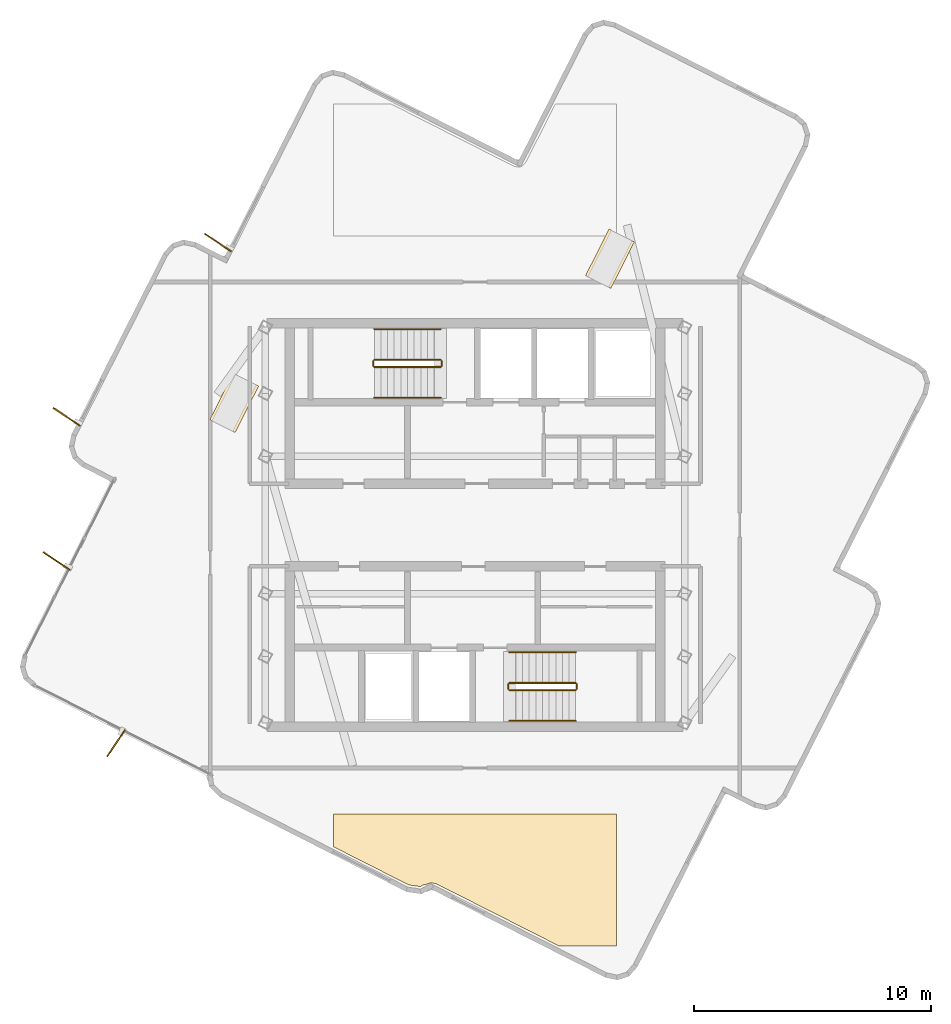
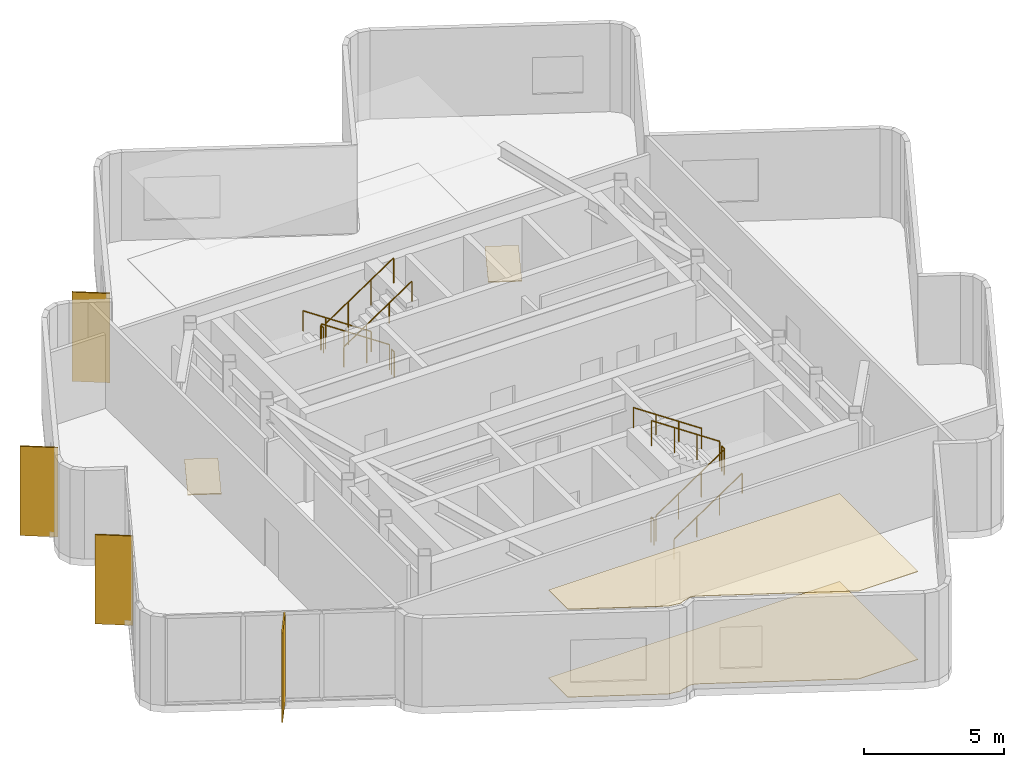
# One storey, part 6 of 8: 12 railings, 4 coverings, 4 shading devices.
"""IFC4 building model written with IfcOpenShell, lengths in metres."""

from ifc_helpers import new_model, si_unit, direction, frame, origin, origin_2d, place, context, subcontext, project, spatial, polyline, rectangle, circle, outline, extrude, material, layer, layer_set, type_object, element, save


model = new_model("IFC4")

# Units and contexts
model_context = context("Model", 3, precision=1e-05, world=origin(), true_north=direction((0.0, 1.0)))
body_context = subcontext(model_context, "Body", "Model", "MODEL_VIEW")
ifc_project = project(units=[si_unit("LENGTHUNIT", "METRE"), si_unit("AREAUNIT", "SQUARE_METRE"), si_unit("VOLUMEUNIT", "CUBIC_METRE"), si_unit("PLANEANGLEUNIT", "RADIAN"), si_unit("MASSUNIT", "GRAM", prefix="KILO")], contexts=[model_context])

# Site, building, storey
site_placement = place(None, origin())
site = spatial("IfcSite", under=ifc_project, at=site_placement, CompositionType="ELEMENT")
building_placement = place(site_placement, origin())
building = spatial("IfcBuilding", under=site, at=building_placement, Name="Solmarez Civic Tower", CompositionType="ELEMENT")
storey_placement = place(building_placement, frame((0.0, 0.0, 289.260009765625)))
storey = spatial("IfcBuildingStorey", under=building, at=storey_placement, Name="L78 Crown", CompositionType="ELEMENT", Elevation=289.260009765625)

# Coverings
ifc_material_1 = material(Name="Perforated Mineral-Fibre Acoustic Ceiling")
ifc_layer_1 = layer(ifc_material_1, 0.02490234375)
ifc_layer_set_1 = layer_set([ifc_layer_1], Name="Perforated Mineral-Fibre Acoustic Ceiling")
covering_type_1 = type_object("IfcCoveringType", Name="COV-CEIL-ACOUSTIC", PredefinedType="CEILING", material=ifc_layer_set_1)
covering_1_placement = place(storey_placement, frame((0.0, 0.0, 3.81494140625)))
element("IfcCovering", 1, at=covering_1_placement, inside=storey, type_object=covering_type_1, Name="L78 Crown Suspended Acoustic Ceiling 2", PredefinedType="CEILING", context=body_context, shape_type="SweptSolid", body=[
    extrude(outline(polyline([(5.97998046875, -12.199951171875), (-5.97998046875, -12.199951171875), (-5.97998046875, -13.583984375), (-2.798095703125, -15.197021484375), (-2.31103515625, -15.26708984375), (-2.22802734375, -15.220947265625), (-2.221923828125, -15.217041015625), (-2.199951171875, -15.2060546875), (-2.193115234375, -15.202880859375), (-2.176025390625, -15.197021484375), (-2.158935546875, -15.19189453125), (-2.15087890625, -15.18994140625), (-2.125, -15.18505859375), (-2.118896484375, -15.18408203125), (-2.114013671875, -15.18310546875), (-2.093994140625, -15.180908203125), (-1.93310546875, -15.12890625), (-1.91796875, -15.125), (-1.909912109375, -15.123046875), (-1.902099609375, -15.12109375), (-1.8759765625, -15.115966796875), (-1.84912109375, -15.114013671875), (-1.83203125, -15.114013671875), (-1.804931640625, -15.115966796875), (-1.77490234375, -15.12109375), (-1.6630859375, -15.14501953125), (-1.64794921875, -15.14794921875), (-1.64111328125, -15.14990234375), (-1.631103515625, -15.153076171875), (-1.625, -15.155029296875), (-1.596923828125, -15.1669921875), (-1.590087890625, -15.1708984375), (3.55908203125, -17.780029296875), (5.97998046875, -17.780029296875), (5.97998046875, -12.199951171875)])), origin(), (0.0, 0.0, 1.0), 0.025146484375),
])
ifc_material_2 = material(Name="Polished Tropical Stone Terrazzo Flooring", Category="masonry")
ifc_layer_2 = layer(ifc_material_2, 0.02001953125)
ifc_layer_set_2 = layer_set([ifc_layer_2], Name="Polished Tropical Stone Terrazzo Flooring")
covering_type_2 = type_object("IfcCoveringType", Name="COV-FLOOR-TERRAZZO", PredefinedType="FLOORING", material=ifc_layer_set_2)
covering_2_placement = place(storey_placement, origin())
element("IfcCovering", 2, at=covering_2_placement, inside=storey, type_object=covering_type_2, Name="L78 Crown Terrazzo Floor Finish 2", PredefinedType="FLOORING", context=body_context, shape_type="SweptSolid", body=[
    extrude(outline(polyline([(5.97998046875, -12.199951171875), (-5.97998046875, -12.199951171875), (-5.97998046875, -13.583984375), (-2.798095703125, -15.197021484375), (-2.31103515625, -15.26708984375), (-2.22802734375, -15.220947265625), (-2.221923828125, -15.217041015625), (-2.199951171875, -15.2060546875), (-2.193115234375, -15.202880859375), (-2.176025390625, -15.197021484375), (-2.158935546875, -15.19189453125), (-2.15087890625, -15.18994140625), (-2.125, -15.18505859375), (-2.118896484375, -15.18408203125), (-2.114013671875, -15.18310546875), (-2.093994140625, -15.180908203125), (-1.93310546875, -15.12890625), (-1.91796875, -15.125), (-1.909912109375, -15.123046875), (-1.902099609375, -15.12109375), (-1.8759765625, -15.115966796875), (-1.84912109375, -15.114013671875), (-1.83203125, -15.114013671875), (-1.804931640625, -15.115966796875), (-1.77490234375, -15.12109375), (-1.6630859375, -15.14501953125), (-1.64794921875, -15.14794921875), (-1.64111328125, -15.14990234375), (-1.631103515625, -15.153076171875), (-1.625, -15.155029296875), (-1.596923828125, -15.1669921875), (-1.590087890625, -15.1708984375), (3.55908203125, -17.780029296875), (5.97998046875, -17.780029296875), (5.97998046875, -12.199951171875)])), origin(), (0.0, 0.0, 1.0), 0.02001953125),
])
ifc_material_3 = material(Name="Bronze Anodised Aluminium Exterior Soffit Cladding", Category="aluminium")
ifc_layer_3 = layer(ifc_material_3, 0.0400390625)
ifc_layer_set_3 = layer_set([ifc_layer_3], Name="Bronze Anodised Aluminium Exterior Soffit Cladding")
covering_type_3 = type_object("IfcCoveringType", Name="COV-SOFFIT-CLAD", PredefinedType="CLADDING", material=ifc_layer_set_3)
for number, where, z_axis, x_axis, name in (
    (3, (5.697021484375, 11.239013671875, -0.320068359375), (0.0, 0.0, 1.0), (0.452123385691, 0.891955404777, 0.0), "L78 Crown Crown Soffit Cladding Panel 1"),
    (4, (-10.16796875, 5.154052734375, -0.320068359375), (0.0, 0.0, 1.0), (0.452123385691, 0.891955404777, 0.0), "L78 Crown Crown Soffit Cladding Panel 2"),
):
    element("IfcCovering", number, at=place(storey_placement, frame(where, z_axis=z_axis, x_axis=x_axis)), inside=storey, type_object=covering_type_3, Name=name, PredefinedType="CLADDING", context=body_context, shape_type="SweptSolid", body=[
        extrude(rectangle(XDim=2.199951171875, YDim=1.199951171875, at=origin_2d()), origin(), (0.0, 0.0, 1.0), 0.0400390625),
    ])

# Shading devices
ifc_material_4 = material(Name="Bronze Anodised Aluminium EN AW-6063 T6", Category="aluminium")
ifc_layer_4 = layer(ifc_material_4, 0.054931640625)
ifc_layer_set_4 = layer_set([ifc_layer_4], Name="Bronze Anodised Aluminium EN AW-6063 T6")
shading_device_type = type_object("IfcShadingDeviceType", Name="FIN-BRONZE-Z56", PredefinedType="USERDEFINED", material=ifc_layer_set_4)
for number, where, z_axis, x_axis, name in (
    (5, (-15.157958984375, -9.217041015625, -0.0400390625), (0.0, 0.0, 1.0), (-0.55749881483, -0.830177734863, 0.0), "L78 Crown Anodised Bronze Solar Fin FIN-L78 Crown-01"),
    (6, (-17.6708984375, -1.52001953125, -0.0400390625), (0.0, 0.0, 1.0), (-0.830187464927, 0.557484325411, 0.0), "L78 Crown Anodised Bronze Solar Fin FIN-L78 Crown-02"),
    (7, (-17.241943359375, 4.568115234375, -0.0400390625), (0.0, 0.0, 1.0), (-0.830226382652, 0.557426366033, 0.0), "L78 Crown Anodised Bronze Solar Fin FIN-L78 Crown-03"),
    (8, (-10.85498046875, 11.927001953125, -0.0400390625), (0.0, 0.0, 1.0), (-0.830187464927, 0.557484325411, 0.0), "L78 Crown Anodised Bronze Solar Fin FIN-L78 Crown-04"),
):
    element("IfcShadingDevice", number, at=place(storey_placement, frame(where, z_axis=z_axis, x_axis=x_axis)), inside=storey, type_object=shading_device_type, Name=name, ObjectType="FIN", PredefinedType="USERDEFINED", context=body_context, shape_type="SweptSolid", body=[
        extrude(rectangle(XDim=1.35009765625, YDim=0.054931640625, at=origin_2d()), origin(), (0.0, 0.0, 1.0), 3.8798828125),
    ])

# Railings
ifc_material_5 = material(Name="Painted Steel Stairwell Safety Guard", Category="steel")
railing_type_1 = type_object("IfcRailingType", Name="GUARD-STAIR-1120", PredefinedType="BALUSTRADE", material=ifc_material_5)
railing_1_placement = place(storey_placement, frame((-1.449951171875, 6.969970703125, 0.188232421875)))
element("IfcRailing", 9, at=railing_1_placement, inside=storey, type_object=railing_type_1, Name="L78 Crown ST-1 stair guard 1", PredefinedType="BALUSTRADE", context=body_context, shape_type="SweptSolid", body=[
    extrude(circle(Radius=0.02392578125, at=origin_2d()), frame((0.0, 0.0, 1.09619140625), z_axis=(-0.829973695312, 0.0, 0.557802532345), x_axis=(0.0, -1.0, 0.0)), (0.0, 0.0, 1.0), 3.373779296875),
    extrude(circle(Radius=0.02099609375, at=origin_2d()), origin(), (0.0, 0.0, 1.0), 1.072021484375),
    extrude(circle(Radius=0.02099609375, at=origin_2d()), frame((-0.933349609375, 0.0, 0.627197265625)), (0.0, 0.0, 1.0), 1.072021484375),
    extrude(circle(Radius=0.02099609375, at=origin_2d()), frame((-1.86669921875, 0.0, 1.254638671875)), (0.0, 0.0, 1.0), 1.072021484375),
    extrude(circle(Radius=0.02099609375, at=origin_2d()), frame((-2.800048828125, 0.0, 1.8818359375)), (0.0, 0.0, 1.0), 1.072021484375),
])
railing_2_placement = place(storey_placement, frame((-4.300048828125, 6.919921875, 2.070068359375)))
element("IfcRailing", 10, at=railing_2_placement, inside=storey, type_object=railing_type_1, Name="L78 Crown ST-1 stair guard 2", PredefinedType="BALUSTRADE", context=body_context, shape_type="SweptSolid", body=[
    extrude(circle(Radius=0.02392578125, at=origin_2d()), frame((0.0, 0.0, 1.09619140625), z_axis=(0.0, -1.0, 0.0), x_axis=(1.0, 0.0, 0.0)), (0.0, 0.0, 1.0), 0.199951171875),
    extrude(circle(Radius=0.02099609375, at=origin_2d()), origin(), (0.0, 0.0, 1.0), 1.072021484375),
    extrude(circle(Radius=0.02099609375, at=origin_2d()), frame((0.0, -0.199951171875, 0.0)), (0.0, 0.0, 1.0), 1.072021484375),
])
railing_3_placement = place(storey_placement, frame((-4.25, 6.669921875, 2.258056640625)))
element("IfcRailing", 11, at=railing_3_placement, inside=storey, type_object=railing_type_1, Name="L78 Crown ST-1 stair guard 3", PredefinedType="BALUSTRADE", context=body_context, shape_type="SweptSolid", body=[
    extrude(circle(Radius=0.02392578125, at=origin_2d()), frame((0.0, 0.0, 1.09619140625), z_axis=(0.829973695312, 0.0, 0.557802532345), x_axis=(0.0, 1.0, 0.0)), (0.0, 0.0, 1.0), 3.373779296875),
    extrude(circle(Radius=0.02099609375, at=origin_2d()), origin(), (0.0, 0.0, 1.0), 1.072021484375),
    extrude(circle(Radius=0.02099609375, at=origin_2d()), frame((0.933349609375, 0.0, 0.627197265625)), (0.0, 0.0, 1.0), 1.072021484375),
    extrude(circle(Radius=0.02099609375, at=origin_2d()), frame((1.86669921875, 0.0, 1.254638671875)), (0.0, 0.0, 1.0), 1.072021484375),
    extrude(circle(Radius=0.02099609375, at=origin_2d()), frame((2.800048828125, 0.0, 1.8818359375)), (0.0, 0.0, 1.0), 1.072021484375),
])
railing_4_placement = place(storey_placement, frame((-1.39990234375, 6.919921875, 0.0)))
element("IfcRailing", 12, at=railing_4_placement, inside=storey, type_object=railing_type_1, Name="L78 Crown ST-1 stair guard 4", PredefinedType="BALUSTRADE", context=body_context, shape_type="SweptSolid", body=[
    extrude(circle(Radius=0.02392578125, at=origin_2d()), frame((0.0, 0.0, 1.09619140625), z_axis=(0.0, -1.0, 0.0), x_axis=(1.0, 0.0, 0.0)), (0.0, 0.0, 1.0), 0.199951171875),
    extrude(circle(Radius=0.02099609375, at=origin_2d()), origin(), (0.0, 0.0, 1.0), 1.072021484375),
    extrude(circle(Radius=0.02099609375, at=origin_2d()), frame((0.0, -0.199951171875, 0.0)), (0.0, 0.0, 1.0), 1.072021484375),
])
railing_5_placement = place(storey_placement, frame((1.449951171875, -6.969970703125, 0.188232421875)))
element("IfcRailing", 13, at=railing_5_placement, inside=storey, type_object=railing_type_1, Name="L78 Crown ST-2 stair guard 1", PredefinedType="BALUSTRADE", context=body_context, shape_type="SweptSolid", body=[
    extrude(circle(Radius=0.02392578125, at=origin_2d()), frame((0.0, 0.0, 1.09619140625), z_axis=(0.829973695312, 0.0, 0.557802532345), x_axis=(0.0, 1.0, 0.0)), (0.0, 0.0, 1.0), 3.373779296875),
    extrude(circle(Radius=0.02099609375, at=origin_2d()), origin(), (0.0, 0.0, 1.0), 1.072021484375),
    extrude(circle(Radius=0.02099609375, at=origin_2d()), frame((0.933349609375, 0.0, 0.627197265625)), (0.0, 0.0, 1.0), 1.072021484375),
    extrude(circle(Radius=0.02099609375, at=origin_2d()), frame((1.86669921875, 0.0, 1.254638671875)), (0.0, 0.0, 1.0), 1.072021484375),
    extrude(circle(Radius=0.02099609375, at=origin_2d()), frame((2.800048828125, 0.0, 1.8818359375)), (0.0, 0.0, 1.0), 1.072021484375),
])
railing_6_placement = place(storey_placement, frame((4.300048828125, -6.919921875, 2.070068359375)))
element("IfcRailing", 14, at=railing_6_placement, inside=storey, type_object=railing_type_1, Name="L78 Crown ST-2 stair guard 2", PredefinedType="BALUSTRADE", context=body_context, shape_type="SweptSolid", body=[
    extrude(circle(Radius=0.02392578125, at=origin_2d()), frame((0.0, 0.0, 1.09619140625), z_axis=(0.0, 1.0, 0.0), x_axis=(-1.0, 0.0, 0.0)), (0.0, 0.0, 1.0), 0.199951171875),
    extrude(circle(Radius=0.02099609375, at=origin_2d()), origin(), (0.0, 0.0, 1.0), 1.072021484375),
    extrude(circle(Radius=0.02099609375, at=origin_2d()), frame((0.0, 0.199951171875, 0.0)), (0.0, 0.0, 1.0), 1.072021484375),
])
railing_7_placement = place(storey_placement, frame((4.25, -6.669921875, 2.258056640625)))
element("IfcRailing", 15, at=railing_7_placement, inside=storey, type_object=railing_type_1, Name="L78 Crown ST-2 stair guard 3", PredefinedType="BALUSTRADE", context=body_context, shape_type="SweptSolid", body=[
    extrude(circle(Radius=0.02392578125, at=origin_2d()), frame((0.0, 0.0, 1.09619140625), z_axis=(-0.829973695312, 0.0, 0.557802532345), x_axis=(0.0, -1.0, 0.0)), (0.0, 0.0, 1.0), 3.373779296875),
    extrude(circle(Radius=0.02099609375, at=origin_2d()), origin(), (0.0, 0.0, 1.0), 1.072021484375),
    extrude(circle(Radius=0.02099609375, at=origin_2d()), frame((-0.933349609375, 0.0, 0.627197265625)), (0.0, 0.0, 1.0), 1.072021484375),
    extrude(circle(Radius=0.02099609375, at=origin_2d()), frame((-1.86669921875, 0.0, 1.254638671875)), (0.0, 0.0, 1.0), 1.072021484375),
    extrude(circle(Radius=0.02099609375, at=origin_2d()), frame((-2.800048828125, 0.0, 1.8818359375)), (0.0, 0.0, 1.0), 1.072021484375),
])
railing_8_placement = place(storey_placement, frame((1.39990234375, -6.919921875, 0.0)))
element("IfcRailing", 16, at=railing_8_placement, inside=storey, type_object=railing_type_1, Name="L78 Crown ST-2 stair guard 4", PredefinedType="BALUSTRADE", context=body_context, shape_type="SweptSolid", body=[
    extrude(circle(Radius=0.02392578125, at=origin_2d()), frame((0.0, 0.0, 1.09619140625), z_axis=(0.0, 1.0, 0.0), x_axis=(-1.0, 0.0, 0.0)), (0.0, 0.0, 1.0), 0.199951171875),
    extrude(circle(Radius=0.02099609375, at=origin_2d()), origin(), (0.0, 0.0, 1.0), 1.072021484375),
    extrude(circle(Radius=0.02099609375, at=origin_2d()), frame((0.0, 0.199951171875, 0.0)), (0.0, 0.0, 1.0), 1.072021484375),
])
ifc_material_6 = material(Name="Brushed Stainless Steel Tube Handrail", Category="steel")
railing_type_2 = type_object("IfcRailingType", Name="HANDRAIL-STAIR-900", PredefinedType="HANDRAIL", material=ifc_material_6)
railing_9_placement = place(storey_placement, frame((-1.449951171875, 8.27001953125, 0.188232421875)))
element("IfcRailing", 17, at=railing_9_placement, inside=storey, type_object=railing_type_2, Name="L78 Crown ST-1 stair handrail 1", PredefinedType="HANDRAIL", context=body_context, shape_type="SweptSolid", body=[
    extrude(circle(Radius=0.02392578125, at=origin_2d()), frame((0.0, 0.0, 0.8759765625), z_axis=(-0.829973695312, 0.0, 0.557802532345), x_axis=(0.0, -1.0, 0.0)), (0.0, 0.0, 1.0), 3.373779296875),
    extrude(circle(Radius=0.02099609375, at=origin_2d()), origin(), (0.0, 0.0, 1.0), 0.851806640625),
    extrude(circle(Radius=0.02099609375, at=origin_2d()), frame((-0.933349609375, 0.0, 0.627197265625)), (0.0, 0.0, 1.0), 0.851806640625),
    extrude(circle(Radius=0.02099609375, at=origin_2d()), frame((-1.86669921875, 0.0, 1.254638671875)), (0.0, 0.0, 1.0), 0.851806640625),
    extrude(circle(Radius=0.02099609375, at=origin_2d()), frame((-2.800048828125, 0.0, 1.8818359375)), (0.0, 0.0, 1.0), 0.851806640625),
])
for number, where, name in (
    (18, (-4.25, 5.3701171875, 2.258056640625), "L78 Crown ST-1 stair handrail 2"),
    (19, (1.449951171875, -8.27001953125, 0.188232421875), "L78 Crown ST-2 stair handrail 1"),
):
    element("IfcRailing", number, at=place(storey_placement, frame(where)), inside=storey, type_object=railing_type_2, Name=name, PredefinedType="HANDRAIL", context=body_context, shape_type="SweptSolid", body=[
        extrude(circle(Radius=0.02392578125, at=origin_2d()), frame((0.0, 0.0, 0.8759765625), z_axis=(0.829973695312, 0.0, 0.557802532345), x_axis=(0.0, 1.0, 0.0)), (0.0, 0.0, 1.0), 3.373779296875),
        extrude(circle(Radius=0.02099609375, at=origin_2d()), origin(), (0.0, 0.0, 1.0), 0.851806640625),
        extrude(circle(Radius=0.02099609375, at=origin_2d()), frame((0.933349609375, 0.0, 0.627197265625)), (0.0, 0.0, 1.0), 0.851806640625),
        extrude(circle(Radius=0.02099609375, at=origin_2d()), frame((1.86669921875, 0.0, 1.254638671875)), (0.0, 0.0, 1.0), 0.851806640625),
        extrude(circle(Radius=0.02099609375, at=origin_2d()), frame((2.800048828125, 0.0, 1.8818359375)), (0.0, 0.0, 1.0), 0.851806640625),
    ])
railing_10_placement = place(storey_placement, frame((4.25, -5.3701171875, 2.258056640625)))
element("IfcRailing", 20, at=railing_10_placement, inside=storey, type_object=railing_type_2, Name="L78 Crown ST-2 stair handrail 2", PredefinedType="HANDRAIL", context=body_context, shape_type="SweptSolid", body=[
    extrude(circle(Radius=0.02392578125, at=origin_2d()), frame((0.0, 0.0, 0.8759765625), z_axis=(-0.829973695312, 0.0, 0.557802532345), x_axis=(0.0, -1.0, 0.0)), (0.0, 0.0, 1.0), 3.373779296875),
    extrude(circle(Radius=0.02099609375, at=origin_2d()), origin(), (0.0, 0.0, 1.0), 0.851806640625),
    extrude(circle(Radius=0.02099609375, at=origin_2d()), frame((-0.933349609375, 0.0, 0.627197265625)), (0.0, 0.0, 1.0), 0.851806640625),
    extrude(circle(Radius=0.02099609375, at=origin_2d()), frame((-1.86669921875, 0.0, 1.254638671875)), (0.0, 0.0, 1.0), 0.851806640625),
    extrude(circle(Radius=0.02099609375, at=origin_2d()), frame((-2.800048828125, 0.0, 1.8818359375)), (0.0, 0.0, 1.0), 0.851806640625),
])

save(model, "model.ifc")
